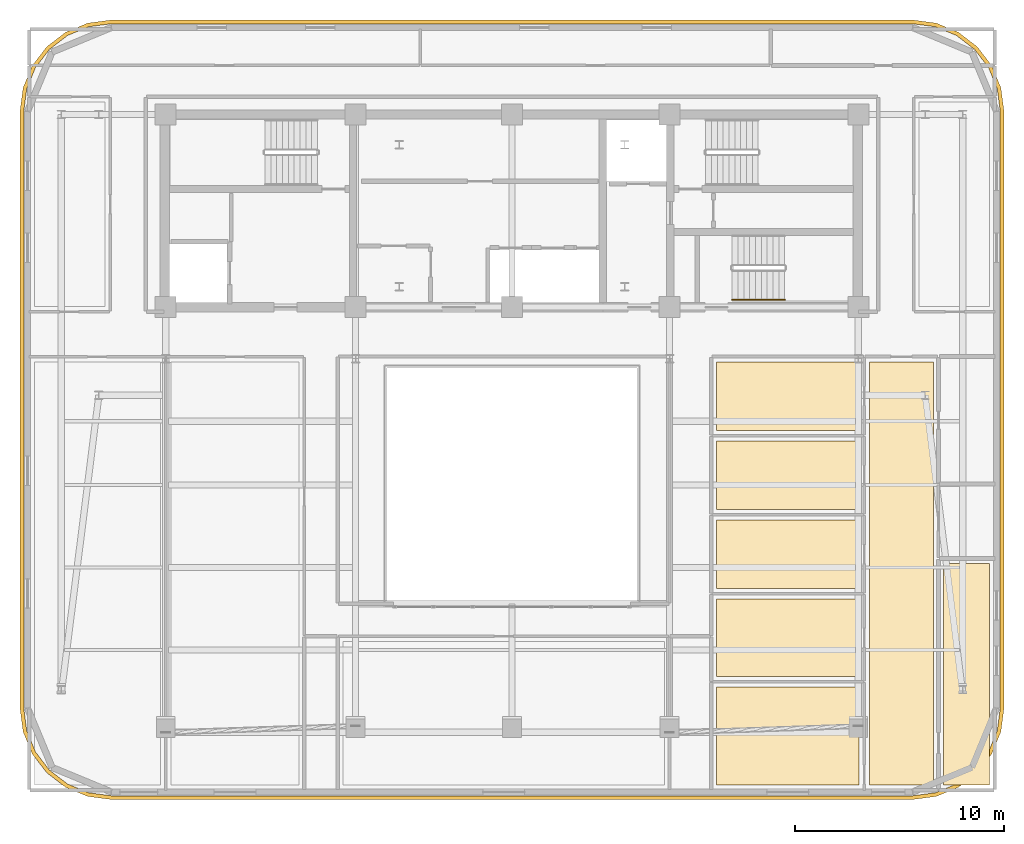
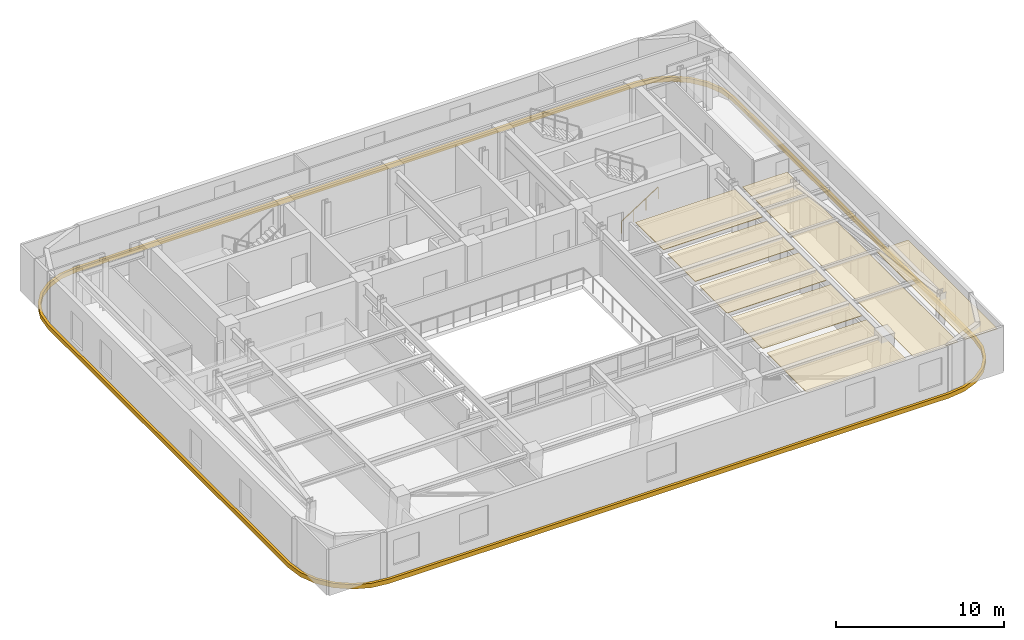
# One storey, part 12 of 13: 8 coverings, 1 railing.
"""IFC4 building model written with IfcOpenShell, lengths in metres."""

from ifc_helpers import new_model, si_unit, direction, frame, origin, origin_2d, place, context, subcontext, project, spatial, polyline, rectangle, outline, extrude, material, layer, layer_set, type_object, element, save


model = new_model("IFC4")

# Units and contexts
model_context = context("Model", 3, precision=1e-05, world=origin(), true_north=direction((0.0, 1.0)))
body_context = subcontext(model_context, "Body", "Model", "MODEL_VIEW")
ifc_project = project(units=[si_unit("LENGTHUNIT", "METRE"), si_unit("AREAUNIT", "SQUARE_METRE"), si_unit("VOLUMEUNIT", "CUBIC_METRE"), si_unit("PLANEANGLEUNIT", "RADIAN"), si_unit("MASSUNIT", "GRAM", prefix="KILO")], contexts=[model_context])

# Site, building, storey
site_placement = place(None, origin())
site = spatial("IfcSite", under=ifc_project, at=site_placement, CompositionType="ELEMENT")
building_placement = place(site_placement, origin())
building = spatial("IfcBuilding", under=site, at=building_placement, Name="Zarnavel Station Tower", CompositionType="ELEMENT")
storey_placement = place(building_placement, frame((0.0, 0.0, 204.0)))
storey = spatial("IfcBuildingStorey", under=building, at=storey_placement, Name="L55", CompositionType="ELEMENT", Elevation=204.0)

# Coverings
ifc_material_1 = material(Name="Perforated Gypsum and Mineral-Wool Acoustic Ceiling", Category="concrete")
ifc_layer = layer(ifc_material_1, 0.0400390625)
ifc_layer_set = layer_set([ifc_layer], Name="COV_CEIL_ACOUSTIC")
covering_type_1 = type_object("IfcCoveringType", Name="COV_CEIL_ACOUSTIC", PredefinedType="CEILING", material=ifc_layer_set)
covering_1_placement = place(storey_placement, frame((0.0, 0.0, 3.02001953125)))
element("IfcCovering", 1, at=covering_1_placement, inside=storey, type_object=covering_type_1, Name="L55 UE1LV Acoustic Ceiling", PredefinedType="CEILING", context=body_context, shape_type="SweptSolid", body=[
    extrude(outline(polyline([(45.930908203125, 4.909912109375), (48.989990234375, 4.909912109375), (48.989990234375, 25.199951171875), (45.930908203125, 25.199951171875), (45.930908203125, 4.909912109375)])), origin(), (0.0, 0.0, 1.0), 0.0400390625),
])
covering_2_placement = place(storey_placement, frame((0.0, 0.0, 3.02001953125)))
element("IfcCovering", 2, at=covering_2_placement, inside=storey, type_object=covering_type_1, Name="L55 UE1KT Acoustic Ceiling", PredefinedType="CEILING", context=body_context, shape_type="SweptSolid", body=[
    extrude(outline(polyline([(49.489990234375, 4.909912109375), (51.68994140625, 4.909912109375), (51.68994140625, 15.52099609375), (49.489990234375, 15.52099609375), (49.489990234375, 4.909912109375)])), origin(), (0.0, 0.0, 1.0), 0.0400390625),
])
covering_3_placement = place(storey_placement, frame((0.0, 0.0, 3.02001953125)))
element("IfcCovering", 3, at=covering_3_placement, inside=storey, type_object=covering_type_1, Name="L55 UE1B1 Acoustic Ceiling", PredefinedType="CEILING", context=body_context, shape_type="SweptSolid", body=[
    extrude(outline(polyline([(38.60009765625, 4.909912109375), (45.430908203125, 4.909912109375), (45.430908203125, 9.60693359375), (38.60009765625, 9.60693359375), (38.60009765625, 4.909912109375)])), origin(), (0.0, 0.0, 1.0), 0.0400390625),
])
covering_4_placement = place(storey_placement, frame((0.0, 0.0, 3.02001953125)))
element("IfcCovering", 4, at=covering_4_placement, inside=storey, type_object=covering_type_1, Name="L55 UE1B2 Acoustic Ceiling", PredefinedType="CEILING", context=body_context, shape_type="SweptSolid", body=[
    extrude(outline(polyline([(38.60009765625, 10.10693359375), (45.430908203125, 10.10693359375), (45.430908203125, 13.8349609375), (38.60009765625, 13.8349609375), (38.60009765625, 10.10693359375)])), origin(), (0.0, 0.0, 1.0), 0.0400390625),
])
covering_5_placement = place(storey_placement, frame((0.0, 0.0, 3.02001953125)))
element("IfcCovering", 5, at=covering_5_placement, inside=storey, type_object=covering_type_1, Name="L55 UE1B3 Acoustic Ceiling", PredefinedType="CEILING", context=body_context, shape_type="SweptSolid", body=[
    extrude(outline(polyline([(38.60009765625, 14.3349609375), (45.430908203125, 14.3349609375), (45.430908203125, 17.623046875), (38.60009765625, 17.623046875), (38.60009765625, 14.3349609375)])), origin(), (0.0, 0.0, 1.0), 0.0400390625),
])
covering_6_placement = place(storey_placement, frame((0.0, 0.0, 3.02001953125)))
element("IfcCovering", 6, at=covering_6_placement, inside=storey, type_object=covering_type_1, Name="L55 UE1B4 Acoustic Ceiling", PredefinedType="CEILING", context=body_context, shape_type="SweptSolid", body=[
    extrude(outline(polyline([(38.60009765625, 18.123046875), (45.430908203125, 18.123046875), (45.430908203125, 21.410888671875), (38.60009765625, 21.410888671875), (38.60009765625, 18.123046875)])), origin(), (0.0, 0.0, 1.0), 0.0400390625),
])
covering_7_placement = place(storey_placement, frame((0.0, 0.0, 3.02001953125)))
element("IfcCovering", 7, at=covering_7_placement, inside=storey, type_object=covering_type_1, Name="L55 UE1B5 Acoustic Ceiling", PredefinedType="CEILING", context=body_context, shape_type="SweptSolid", body=[
    extrude(outline(polyline([(38.60009765625, 21.910888671875), (45.430908203125, 21.910888671875), (45.430908203125, 25.199951171875), (38.60009765625, 25.199951171875), (38.60009765625, 21.910888671875)])), origin(), (0.0, 0.0, 1.0), 0.0400390625),
])
ifc_material_2 = material(Name="Precast concrete C45/55 (Pale Travertine Slab Band)", Category="masonry")
covering_type_2 = type_object("IfcCoveringType", Name="COV_TRAVERTINE_BAND", PredefinedType="CLADDING", material=ifc_material_2)
covering_8_placement = place(storey_placement, frame((0.0, 0.0, -0.260009765625)))
element("IfcCovering", 8, at=covering_8_placement, inside=storey, type_object=covering_type_2, Name="L55 Pale Travertine Slab-Edge Band", PredefinedType="CLADDING", context=body_context, shape_type="SweptSolid", body=[
    extrude(outline(polyline([(48.0, 4.219970703125), (49.133544921875, 4.369140625), (50.18994140625, 4.806884765625), (51.09716796875, 5.5029296875), (51.793212890625, 6.409912109375), (52.230712890625, 7.46630859375), (52.3798828125, 8.60009765625), (52.3798828125, 37.199951171875), (52.230712890625, 38.33349609375), (51.793212890625, 39.389892578125), (51.09716796875, 40.297119140625), (50.18994140625, 40.9931640625), (49.133544921875, 41.430908203125), (48.0, 41.580078125), (9.60009765625, 41.580078125), (8.46630859375, 41.430908203125), (7.409912109375, 40.9931640625), (6.5029296875, 40.297119140625), (5.806884765625, 39.389892578125), (5.369140625, 38.33349609375), (5.219970703125, 37.199951171875), (5.219970703125, 8.60009765625), (5.369140625, 7.46630859375), (5.806884765625, 6.409912109375), (6.5029296875, 5.5029296875), (7.409912109375, 4.806884765625), (8.46630859375, 4.369140625), (9.60009765625, 4.219970703125), (48.0, 4.219970703125)]), holes=[polyline([(48.0, 4.39990234375), (49.0869140625, 4.543212890625), (50.10009765625, 4.962646484375), (50.9697265625, 5.630126953125), (51.63720703125, 6.5), (52.056884765625, 7.512939453125), (52.199951171875, 8.60009765625), (52.199951171875, 37.199951171875), (52.056884765625, 38.287109375), (51.63720703125, 39.300048828125), (50.9697265625, 40.169921875), (50.10009765625, 40.83740234375), (49.0869140625, 41.2568359375), (48.0, 41.39990234375), (9.60009765625, 41.39990234375), (8.512939453125, 41.2568359375), (7.5, 40.83740234375), (6.630126953125, 40.169921875), (5.962646484375, 39.300048828125), (5.543212890625, 38.287109375), (5.39990234375, 37.199951171875), (5.39990234375, 8.60009765625), (5.543212890625, 7.512939453125), (5.962646484375, 6.5), (6.630126953125, 5.630126953125), (7.5, 4.962646484375), (8.512939453125, 4.543212890625), (9.60009765625, 4.39990234375), (48.0, 4.39990234375)])]), origin(), (0.0, 0.0, 1.0), 0.320068359375),
])

# Railing
ifc_material_3 = material(Name="Brushed Stainless Steel S355J2 Handrail", Category="steel")
railing_type = type_object("IfcRailingType", Name="HR_STAIR_900", PredefinedType="HANDRAIL", material=ifc_material_3)
railing_placement = place(storey_placement, frame((39.35009765625, 28.169921875, 0.179931640625)))
element("IfcRailing", 9, at=railing_placement, inside=storey, type_object=railing_type, Name="L55 ST3 stair handrail 1", PredefinedType="HANDRAIL", context=body_context, shape_type="SweptSolid", body=[
    extrude(rectangle(XDim=0.048095703125, YDim=0.048095703125, at=origin_2d()), frame((0.001708984375, 0.0, 0.876953125), z_axis=(0.841162588446, 0.0, 0.540782303519), x_axis=(0.0, 1.0, 0.0)), (0.0, 0.0, 1.0), 2.991943359375),
    extrude(rectangle(XDim=0.0419921875, YDim=0.0419921875, at=origin_2d()), origin(), (0.0, 0.0, 1.0), 0.851806640625),
    extrude(rectangle(XDim=0.0419921875, YDim=0.0419921875, at=origin_2d()), frame((0.840087890625, 0.0, 0.5400390625)), (0.0, 0.0, 1.0), 0.851806640625),
    extrude(rectangle(XDim=0.0419921875, YDim=0.0419921875, at=origin_2d()), frame((1.679931640625, 0.0, 1.080078125)), (0.0, 0.0, 1.0), 0.851806640625),
    extrude(rectangle(XDim=0.0419921875, YDim=0.0419921875, at=origin_2d()), frame((2.52001953125, 0.0, 1.6201171875)), (0.0, 0.0, 1.0), 0.851806640625),
])

save(model, "model.ifc")
